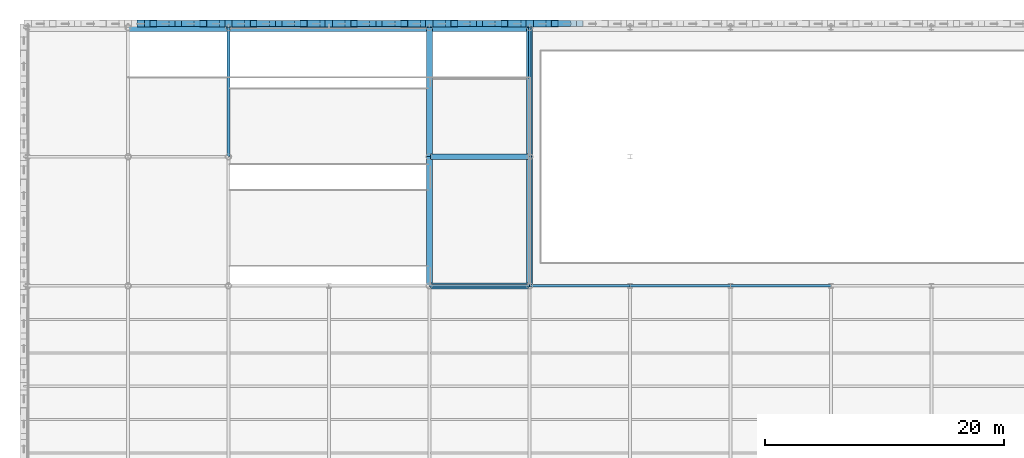
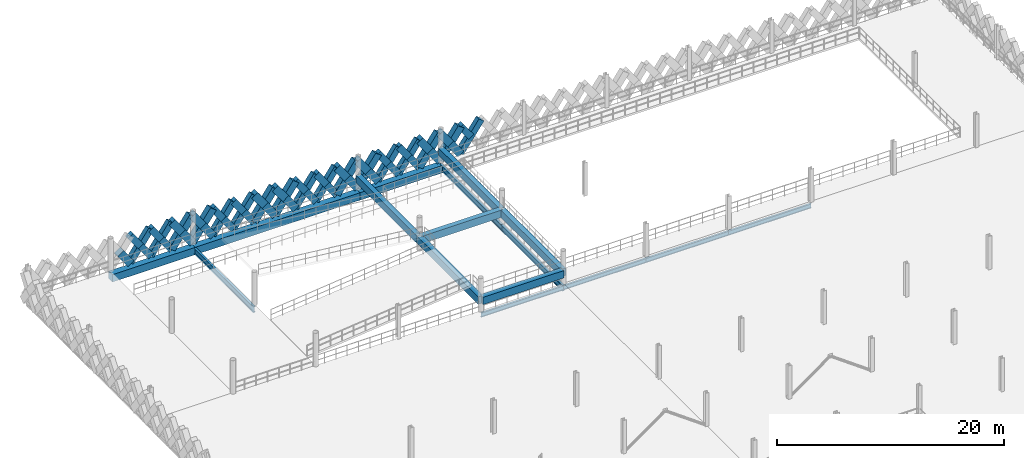
# One storey, part 25 of 62: 51 members, 16 beams.
"""IFC4 building model written with IfcOpenShell, lengths in metres."""

from ifc_helpers import new_model, si_unit, direction, frame, origin, origin_2d, place, context, subcontext, project, spatial, rectangle, i_section, extrude, material, material_profile, profile_set, type_object, element, save


model = new_model("IFC4")

# Units and contexts
model_context = context("Model", 3, precision=1e-05, world=origin(), true_north=direction((0.0, 1.0)))
body_context = subcontext(model_context, "Body", "Model", "MODEL_VIEW")
ifc_project = project(units=[si_unit("LENGTHUNIT", "METRE"), si_unit("AREAUNIT", "SQUARE_METRE"), si_unit("VOLUMEUNIT", "CUBIC_METRE"), si_unit("PLANEANGLEUNIT", "RADIAN"), si_unit("MASSUNIT", "GRAM", prefix="KILO"), si_unit("THERMODYNAMICTEMPERATUREUNIT", "KELVIN"), si_unit("POWERUNIT", "WATT")], contexts=[model_context])

# Site, building, storey
site_placement = place(None, origin())
site = spatial("IfcSite", under=ifc_project, at=site_placement, CompositionType="ELEMENT")
building_placement = place(site_placement, origin())
building = spatial("IfcBuilding", under=site, at=building_placement, Name="Tembeka Court Mobility Hub", CompositionType="ELEMENT")
storey_placement = place(building_placement, frame((0.0, 0.0, 16.199951171875)))
storey = spatial("IfcBuildingStorey", under=building, at=storey_placement, Name="L04", CompositionType="ELEMENT", Elevation=16.199951171875)

# Beams
ifc_material_1 = material(Name="Steel S355", Category="steel")
ifc_material_profile_1 = material_profile(ifc_material_1, i_section(OverallWidth=0.18994140625, OverallDepth=0.45703125, WebThickness=0.009033203125, FlangeThickness=0.014404296875, FilletRadius=0.01025390625, at=origin_2d()), Name="UKB 457x191x74")
ifc_profile_set_1 = profile_set([ifc_material_profile_1], Name="Steel S355")
beam_type_1 = type_object("IfcBeamType", Name="BM-B01", PredefinedType="BEAM", material=ifc_profile_set_1)
for number, where, z_axis, x_axis, name in (
    (1, (33.60009765625, 97.199951171875, -0.448486328125), (1.0, 0.0, 0.0), (0.0, 1.0, 0.0), "Beam B01 (BM-L04-X2293)"),
    (2, (42.0, 97.199951171875, -0.448486328125), (1.0, 0.0, 0.0), (0.0, 1.0, 0.0), "Beam B01 (BM-L04-X2294)"),
):
    element("IfcBeam", number, at=place(storey_placement, frame(where, z_axis=z_axis, x_axis=x_axis)), inside=storey, type_object=beam_type_1, Name=name, PredefinedType="BEAM", context=body_context, shape_type="SweptSolid", body=[
        extrude(i_section(OverallWidth=0.18994140625, OverallDepth=0.45703125, WebThickness=0.009033203125, FlangeThickness=0.014404296875, FilletRadius=0.01025390625, at=origin_2d()), origin(), (0.0, 0.0, 1.0), 8.39990234375),
    ])
beam_1_placement = place(storey_placement, frame((50.39990234375, 97.199951171875, -0.448486328125), z_axis=(1.0, 0.0, 0.0), x_axis=(0.0, 1.0, 0.0)))
element("IfcBeam", 3, at=beam_1_placement, inside=storey, type_object=beam_type_1, Name="Beam B01 (BM-L04-X2295)", PredefinedType="BEAM", context=body_context, shape_type="SweptSolid", body=[
    extrude(i_section(OverallWidth=0.18994140625, OverallDepth=0.45703125, WebThickness=0.009033203125, FlangeThickness=0.014404296875, FilletRadius=0.01025390625, at=origin_2d()), origin(), (0.0, 0.0, 1.0), 8.400146484375),
])
beam_2_placement = place(storey_placement, frame((58.800048828125, 97.199951171875, -0.448486328125), z_axis=(1.0, 0.0, 0.0), x_axis=(0.0, 1.0, 0.0)))
element("IfcBeam", 4, at=beam_2_placement, inside=storey, type_object=beam_type_1, Name="Beam B01 (BM-L04-X2296)", PredefinedType="BEAM", context=body_context, shape_type="SweptSolid", body=[
    extrude(i_section(OverallWidth=0.18994140625, OverallDepth=0.45703125, WebThickness=0.009033203125, FlangeThickness=0.014404296875, FilletRadius=0.01025390625, at=origin_2d()), origin(), (0.0, 0.0, 1.0), 8.39990234375),
])
ifc_material_2 = material(Name="Concrete C40/50", Category="concrete")
ifc_material_profile_2 = material_profile(ifc_material_2, rectangle(XDim=0.5, YDim=0.800048828125, at=origin_2d()), Name="RC-BM 500x800")
ifc_profile_set_2 = profile_set([ifc_material_profile_2], Name="Concrete C40/50")
beam_type_2 = type_object("IfcBeamType", Name="BM-B05", PredefinedType="BEAM", material=ifc_profile_set_2)
for number, where, z_axis, x_axis, name in (
    (5, (33.695068359375, 97.199951171875, 1.150146484375), (1.0, 0.0, 0.0), (0.0, 1.0, 0.0), "Car park vehicle ramp North R1 L04 half-landing tie beam EX1"),
    (6, (33.695068359375, 108.0, 1.150146484375), (1.0, 0.0, 0.0), (0.0, 1.0, 0.0), "Car park vehicle ramp North R1 L04 half-landing tie beam EX2"),
):
    element("IfcBeam", number, at=place(storey_placement, frame(where, z_axis=z_axis, x_axis=x_axis)), inside=storey, type_object=beam_type_2, Name=name, PredefinedType="BEAM", context=body_context, shape_type="SweptSolid", body=[
        extrude(rectangle(XDim=0.5, YDim=0.800048828125, at=origin_2d()), origin(), (0.0, 0.0, 1.0), 8.2099609375),
    ])
for number, where, z_axis, x_axis, name in (
    (7, (33.60009765625, 97.199951171875, 1.150146484375), (0.0, 1.0, 0.0), (-1.0, 0.0, 0.0), "Car park vehicle ramp North R1 L04 half-landing beam EM1"),
    (8, (33.60009765625, 108.0, 1.150146484375), (0.0, 1.0, 0.0), (-1.0, 0.0, 0.0), "Car park vehicle ramp North R1 L04 half-landing beam EM2"),
    (9, (42.0, 97.199951171875, 1.150146484375), (0.0, 1.0, 0.0), (-1.0, 0.0, 0.0), "Car park vehicle ramp North R1 L04 half-landing beam EE1"),
    (10, (42.0, 108.0, 1.150146484375), (0.0, 1.0, 0.0), (-1.0, 0.0, 0.0), "Car park vehicle ramp North R1 L04 half-landing beam EE2"),
):
    element("IfcBeam", number, at=place(storey_placement, frame(where, z_axis=z_axis, x_axis=x_axis)), inside=storey, type_object=beam_type_2, Name=name, PredefinedType="BEAM", context=body_context, shape_type="SweptSolid", body=[
        extrude(rectangle(XDim=0.5, YDim=0.800048828125, at=origin_2d()), origin(), (0.0, 0.0, 1.0), 10.800048828125),
    ])
ifc_material_profile_3 = material_profile(ifc_material_1, i_section(OverallWidth=0.22900390625, OverallDepth=0.612060546875, WebThickness=0.011962890625, FlangeThickness=0.01953125, FilletRadius=0.0126953125, at=origin_2d()), Name="UKB 610x229x125")
ifc_profile_set_3 = profile_set([ifc_material_profile_3], Name="Steel S355")
beam_type_3 = type_object("IfcBeamType", Name="BM-G02", PredefinedType="USERDEFINED", material=ifc_profile_set_3)
for number, where, z_axis, x_axis, name in (
    (11, (16.800048828125, 108.0, -0.555908203125), (0.0, 1.0, 0.0), (-1.0, 0.0, 0.0), "Beam G02 (BM-L04-Y2345)"),
    (12, (42.0, 97.199951171875, -0.52587890625), (0.0, 1.0, 0.0), (-1.0, 0.0, 0.0), "Beam G02 (BM-L04-Y2367)"),
    (13, (42.0, 108.0, -0.52587890625), (0.0, 1.0, 0.0), (-1.0, 0.0, 0.0), "Beam G02 (BM-L04-Y2368)"),
):
    element("IfcBeam", number, at=place(storey_placement, frame(where, z_axis=z_axis, x_axis=x_axis)), inside=storey, type_object=beam_type_3, Name=name, ObjectType="GIRDER", PredefinedType="USERDEFINED", context=body_context, shape_type="SweptSolid", body=[
        extrude(i_section(OverallWidth=0.22900390625, OverallDepth=0.612060546875, WebThickness=0.011962890625, FlangeThickness=0.01953125, FilletRadius=0.0126953125, at=origin_2d()), origin(), (0.0, 0.0, 1.0), 10.800048828125),
    ])
ifc_material_3 = material(Name="Precast concrete C45/55", Category="concrete")
ifc_material_profile_4 = material_profile(ifc_material_3, rectangle(XDim=0.64990234375, YDim=0.800048828125, at=origin_2d()), Name="PC-SP 650x800")
ifc_profile_set_4 = profile_set([ifc_material_profile_4], Name="Precast concrete C45/55")
beam_type_4 = type_object("IfcBeamType", Name="BM-SP01", PredefinedType="SPANDREL", material=ifc_profile_set_4)
beam_3_placement = place(storey_placement, frame((8.39990234375, 118.800048828125, -0.619873046875), z_axis=(1.0, 0.0, 0.0), x_axis=(0.0, 1.0, 0.0)))
element("IfcBeam", 14, at=beam_3_placement, inside=storey, type_object=beam_type_4, Name="Beam SP01 (BM-L04-X2304)", PredefinedType="SPANDREL", context=body_context, shape_type="SweptSolid", body=[
    extrude(rectangle(XDim=0.64990234375, YDim=0.800048828125, at=origin_2d()), origin(), (0.0, 0.0, 1.0), 8.400146484375),
])
beam_4_placement = place(storey_placement, frame((16.800048828125, 118.800048828125, -0.619873046875), z_axis=(1.0, 0.0, 0.0), x_axis=(0.0, 1.0, 0.0)))
element("IfcBeam", 15, at=beam_4_placement, inside=storey, type_object=beam_type_4, Name="Beam SP01 (BM-L04-X2305)", PredefinedType="SPANDREL", context=body_context, shape_type="SweptSolid", body=[
    extrude(rectangle(XDim=0.64990234375, YDim=0.800048828125, at=origin_2d()), origin(), (0.0, 0.0, 1.0), 16.800048828125),
])
beam_5_placement = place(storey_placement, frame((33.60009765625, 118.800048828125, -0.619873046875), z_axis=(1.0, 0.0, 0.0), x_axis=(0.0, 1.0, 0.0)))
element("IfcBeam", 16, at=beam_5_placement, inside=storey, type_object=beam_type_4, Name="Beam SP01 (BM-L04-X2306)", PredefinedType="SPANDREL", context=body_context, shape_type="SweptSolid", body=[
    extrude(rectangle(XDim=0.64990234375, YDim=0.800048828125, at=origin_2d()), origin(), (0.0, 0.0, 1.0), 8.39990234375),
])

# Members
ifc_material_profile_5 = material_profile(ifc_material_3, rectangle(XDim=0.5, YDim=0.64990234375, at=origin_2d()), Name="PC-DIAG 500x650")
ifc_profile_set_5 = profile_set([ifc_material_profile_5], Name="Precast concrete C45/55")
member_type_1 = type_object("IfcMemberType", Name="MEM-DL01", PredefinedType="BRACE", material=ifc_profile_set_5)
member_1_placement = place(storey_placement, frame((10.5, 119.139892578125, 0.02001953125), z_axis=(0.582576362011, 0.0, 0.812775973086), x_axis=(0.0, 1.0, 0.0)))
element("IfcMember", 17, at=member_1_placement, inside=storey, type_object=member_type_1, Name="Precast diamond lattice continuous strand DL01 (L04-638A)", PredefinedType="BRACE", context=body_context, shape_type="SweptSolid", body=[
    extrude(rectangle(XDim=0.5, YDim=0.64990234375, at=origin_2d()), origin(), (0.0, 0.0, 1.0), 3.604736328125),
])
member_2_placement = place(storey_placement, frame((12.60009765625, 119.139892578125, 0.02001953125), z_axis=(-0.582544294934, 0.0, 0.812798956963), x_axis=(0.0, -1.0, 0.0)))
element("IfcMember", 18, at=member_2_placement, inside=storey, type_object=member_type_1, Name="Precast diamond lattice split lower strand DL01 (L04-638B1)", PredefinedType="BRACE", context=body_context, shape_type="SweptSolid", body=[
    extrude(rectangle(XDim=0.5, YDim=0.64990234375, at=origin_2d()), origin(), (0.0, 0.0, 1.0), 1.802490234375),
])
member_3_placement = place(storey_placement, frame((11.550048828125, 119.139892578125, 1.485107421875), z_axis=(-0.582608431711, 0.0, 0.812752985414), x_axis=(0.0, -1.0, 0.0)))
element("IfcMember", 19, at=member_3_placement, inside=storey, type_object=member_type_1, Name="Precast diamond lattice split upper strand DL01 (L04-638B2)", PredefinedType="BRACE", context=body_context, shape_type="SweptSolid", body=[
    extrude(rectangle(XDim=0.5, YDim=0.64990234375, at=origin_2d()), origin(), (0.0, 0.0, 1.0), 1.80224609375),
])
member_4_placement = place(storey_placement, frame((12.60009765625, 119.139892578125, 0.02001953125), z_axis=(0.58253161945, 0.0, 0.812808041509), x_axis=(0.0, 1.0, 0.0)))
element("IfcMember", 20, at=member_4_placement, inside=storey, type_object=member_type_1, Name="Precast diamond lattice continuous strand DL01 (L04-639A)", PredefinedType="BRACE", context=body_context, shape_type="SweptSolid", body=[
    extrude(rectangle(XDim=0.5, YDim=0.64990234375, at=origin_2d()), origin(), (0.0, 0.0, 1.0), 3.604736328125),
])
member_5_placement = place(storey_placement, frame((14.699951171875, 119.139892578125, 0.02001953125), z_axis=(-0.582544294934, 0.0, 0.812798956963), x_axis=(0.0, -1.0, 0.0)))
element("IfcMember", 21, at=member_5_placement, inside=storey, type_object=member_type_1, Name="Precast diamond lattice split lower strand DL01 (L04-639B1)", PredefinedType="BRACE", context=body_context, shape_type="SweptSolid", body=[
    extrude(rectangle(XDim=0.5, YDim=0.64990234375, at=origin_2d()), origin(), (0.0, 0.0, 1.0), 1.802490234375),
])
member_6_placement = place(storey_placement, frame((13.64990234375, 119.139892578125, 1.485107421875), z_axis=(-0.582518941428, 0.0, 0.812817127574), x_axis=(0.0, -1.0, 0.0)))
element("IfcMember", 22, at=member_6_placement, inside=storey, type_object=member_type_1, Name="Precast diamond lattice split upper strand DL01 (L04-639B2)", PredefinedType="BRACE", context=body_context, shape_type="SweptSolid", body=[
    extrude(rectangle(XDim=0.5, YDim=0.64990234375, at=origin_2d()), origin(), (0.0, 0.0, 1.0), 1.80224609375),
])
member_7_placement = place(storey_placement, frame((18.89990234375, 119.139892578125, 0.02001953125), z_axis=(0.582576362011, 0.0, 0.812775973086), x_axis=(0.0, 1.0, 0.0)))
element("IfcMember", 23, at=member_7_placement, inside=storey, type_object=member_type_1, Name="Precast diamond lattice continuous strand DL01 (L04-642A)", PredefinedType="BRACE", context=body_context, shape_type="SweptSolid", body=[
    extrude(rectangle(XDim=0.5, YDim=0.64990234375, at=origin_2d()), origin(), (0.0, 0.0, 1.0), 3.604736328125),
])
member_8_placement = place(storey_placement, frame((21.0, 119.139892578125, 0.02001953125), z_axis=(-0.582544294934, 0.0, 0.812798956963), x_axis=(0.0, -1.0, 0.0)))
element("IfcMember", 24, at=member_8_placement, inside=storey, type_object=member_type_1, Name="Precast diamond lattice split lower strand DL01 (L04-642B1)", PredefinedType="BRACE", context=body_context, shape_type="SweptSolid", body=[
    extrude(rectangle(XDim=0.5, YDim=0.64990234375, at=origin_2d()), origin(), (0.0, 0.0, 1.0), 1.802490234375),
])
member_9_placement = place(storey_placement, frame((19.949951171875, 119.139892578125, 1.485107421875), z_axis=(-0.582608431711, 0.0, 0.812752985414), x_axis=(0.0, -1.0, 0.0)))
element("IfcMember", 25, at=member_9_placement, inside=storey, type_object=member_type_1, Name="Precast diamond lattice split upper strand DL01 (L04-642B2)", PredefinedType="BRACE", context=body_context, shape_type="SweptSolid", body=[
    extrude(rectangle(XDim=0.5, YDim=0.64990234375, at=origin_2d()), origin(), (0.0, 0.0, 1.0), 1.80224609375),
])
member_10_placement = place(storey_placement, frame((21.0, 119.139892578125, 0.02001953125), z_axis=(0.582576362011, 0.0, 0.812775973086), x_axis=(0.0, 1.0, 0.0)))
element("IfcMember", 26, at=member_10_placement, inside=storey, type_object=member_type_1, Name="Precast diamond lattice continuous strand DL01 (L04-643A)", PredefinedType="BRACE", context=body_context, shape_type="SweptSolid", body=[
    extrude(rectangle(XDim=0.5, YDim=0.64990234375, at=origin_2d()), origin(), (0.0, 0.0, 1.0), 3.604736328125),
])
member_11_placement = place(storey_placement, frame((23.10009765625, 119.139892578125, 0.02001953125), z_axis=(-0.582544294934, 0.0, 0.812798956963), x_axis=(0.0, -1.0, 0.0)))
element("IfcMember", 27, at=member_11_placement, inside=storey, type_object=member_type_1, Name="Precast diamond lattice split lower strand DL01 (L04-643B1)", PredefinedType="BRACE", context=body_context, shape_type="SweptSolid", body=[
    extrude(rectangle(XDim=0.5, YDim=0.64990234375, at=origin_2d()), origin(), (0.0, 0.0, 1.0), 1.802490234375),
])
member_12_placement = place(storey_placement, frame((22.050048828125, 119.139892578125, 1.485107421875), z_axis=(-0.582608431711, 0.0, 0.812752985414), x_axis=(0.0, -1.0, 0.0)))
element("IfcMember", 28, at=member_12_placement, inside=storey, type_object=member_type_1, Name="Precast diamond lattice split upper strand DL01 (L04-643B2)", PredefinedType="BRACE", context=body_context, shape_type="SweptSolid", body=[
    extrude(rectangle(XDim=0.5, YDim=0.64990234375, at=origin_2d()), origin(), (0.0, 0.0, 1.0), 1.80224609375),
])
member_13_placement = place(storey_placement, frame((27.300048828125, 119.139892578125, 0.02001953125), z_axis=(0.58253161945, 0.0, 0.812808041509), x_axis=(0.0, 1.0, 0.0)))
element("IfcMember", 29, at=member_13_placement, inside=storey, type_object=member_type_1, Name="Precast diamond lattice continuous strand DL01 (L04-646A)", PredefinedType="BRACE", context=body_context, shape_type="SweptSolid", body=[
    extrude(rectangle(XDim=0.5, YDim=0.64990234375, at=origin_2d()), origin(), (0.0, 0.0, 1.0), 3.604736328125),
])
member_14_placement = place(storey_placement, frame((29.39990234375, 119.139892578125, 0.02001953125), z_axis=(-0.582454804382, 0.0, 0.812863088627), x_axis=(0.0, -1.0, 0.0)))
element("IfcMember", 30, at=member_14_placement, inside=storey, type_object=member_type_1, Name="Precast diamond lattice split lower strand DL01 (L04-646B1)", PredefinedType="BRACE", context=body_context, shape_type="SweptSolid", body=[
    extrude(rectangle(XDim=0.5, YDim=0.64990234375, at=origin_2d()), origin(), (0.0, 0.0, 1.0), 1.802490234375),
])
member_15_placement = place(storey_placement, frame((28.35009765625, 119.139892578125, 1.485107421875), z_axis=(-0.582608431711, 0.0, 0.812752985414), x_axis=(0.0, -1.0, 0.0)))
element("IfcMember", 31, at=member_15_placement, inside=storey, type_object=member_type_1, Name="Precast diamond lattice split upper strand DL01 (L04-646B2)", PredefinedType="BRACE", context=body_context, shape_type="SweptSolid", body=[
    extrude(rectangle(XDim=0.5, YDim=0.64990234375, at=origin_2d()), origin(), (0.0, 0.0, 1.0), 1.80224609375),
])
member_16_placement = place(storey_placement, frame((29.39990234375, 119.139892578125, 0.02001953125), z_axis=(0.582576362011, 0.0, 0.812775973086), x_axis=(0.0, 1.0, 0.0)))
element("IfcMember", 32, at=member_16_placement, inside=storey, type_object=member_type_1, Name="Precast diamond lattice continuous strand DL01 (L04-647A)", PredefinedType="BRACE", context=body_context, shape_type="SweptSolid", body=[
    extrude(rectangle(XDim=0.5, YDim=0.64990234375, at=origin_2d()), origin(), (0.0, 0.0, 1.0), 3.604736328125),
])
member_17_placement = place(storey_placement, frame((31.5, 119.139892578125, 0.02001953125), z_axis=(-0.582544294934, 0.0, 0.812798956963), x_axis=(0.0, -1.0, 0.0)))
element("IfcMember", 33, at=member_17_placement, inside=storey, type_object=member_type_1, Name="Precast diamond lattice split lower strand DL01 (L04-647B1)", PredefinedType="BRACE", context=body_context, shape_type="SweptSolid", body=[
    extrude(rectangle(XDim=0.5, YDim=0.64990234375, at=origin_2d()), origin(), (0.0, 0.0, 1.0), 1.802490234375),
])
member_18_placement = place(storey_placement, frame((30.449951171875, 119.139892578125, 1.485107421875), z_axis=(-0.582608431711, 0.0, 0.812752985414), x_axis=(0.0, -1.0, 0.0)))
element("IfcMember", 34, at=member_18_placement, inside=storey, type_object=member_type_1, Name="Precast diamond lattice split upper strand DL01 (L04-647B2)", PredefinedType="BRACE", context=body_context, shape_type="SweptSolid", body=[
    extrude(rectangle(XDim=0.5, YDim=0.64990234375, at=origin_2d()), origin(), (0.0, 0.0, 1.0), 1.80224609375),
])
member_19_placement = place(storey_placement, frame((35.699951171875, 119.139892578125, 0.02001953125), z_axis=(0.582576362011, 0.0, 0.812775973086), x_axis=(0.0, 1.0, 0.0)))
element("IfcMember", 35, at=member_19_placement, inside=storey, type_object=member_type_1, Name="Precast diamond lattice continuous strand DL01 (L04-650A)", PredefinedType="BRACE", context=body_context, shape_type="SweptSolid", body=[
    extrude(rectangle(XDim=0.5, YDim=0.64990234375, at=origin_2d()), origin(), (0.0, 0.0, 1.0), 3.604736328125),
])
member_20_placement = place(storey_placement, frame((37.800048828125, 119.139892578125, 0.02001953125), z_axis=(-0.582544294934, 0.0, 0.812798956963), x_axis=(0.0, -1.0, 0.0)))
element("IfcMember", 36, at=member_20_placement, inside=storey, type_object=member_type_1, Name="Precast diamond lattice split lower strand DL01 (L04-650B1)", PredefinedType="BRACE", context=body_context, shape_type="SweptSolid", body=[
    extrude(rectangle(XDim=0.5, YDim=0.64990234375, at=origin_2d()), origin(), (0.0, 0.0, 1.0), 1.802490234375),
])
member_21_placement = place(storey_placement, frame((36.75, 119.139892578125, 1.485107421875), z_axis=(-0.582608431711, 0.0, 0.812752985414), x_axis=(0.0, -1.0, 0.0)))
element("IfcMember", 37, at=member_21_placement, inside=storey, type_object=member_type_1, Name="Precast diamond lattice split upper strand DL01 (L04-650B2)", PredefinedType="BRACE", context=body_context, shape_type="SweptSolid", body=[
    extrude(rectangle(XDim=0.5, YDim=0.64990234375, at=origin_2d()), origin(), (0.0, 0.0, 1.0), 1.80224609375),
])
member_22_placement = place(storey_placement, frame((37.800048828125, 119.139892578125, 0.02001953125), z_axis=(0.58253161945, 0.0, 0.812808041509), x_axis=(0.0, 1.0, 0.0)))
element("IfcMember", 38, at=member_22_placement, inside=storey, type_object=member_type_1, Name="Precast diamond lattice continuous strand DL01 (L04-651A)", PredefinedType="BRACE", context=body_context, shape_type="SweptSolid", body=[
    extrude(rectangle(XDim=0.5, YDim=0.64990234375, at=origin_2d()), origin(), (0.0, 0.0, 1.0), 3.604736328125),
])
member_23_placement = place(storey_placement, frame((39.89990234375, 119.139892578125, 0.02001953125), z_axis=(-0.582454804382, 0.0, 0.812863088627), x_axis=(0.0, -1.0, 0.0)))
element("IfcMember", 39, at=member_23_placement, inside=storey, type_object=member_type_1, Name="Precast diamond lattice split lower strand DL01 (L04-651B1)", PredefinedType="BRACE", context=body_context, shape_type="SweptSolid", body=[
    extrude(rectangle(XDim=0.5, YDim=0.64990234375, at=origin_2d()), origin(), (0.0, 0.0, 1.0), 1.802490234375),
])
member_24_placement = place(storey_placement, frame((38.85009765625, 119.139892578125, 1.485107421875), z_axis=(-0.582608431711, 0.0, 0.812752985414), x_axis=(0.0, -1.0, 0.0)))
element("IfcMember", 40, at=member_24_placement, inside=storey, type_object=member_type_1, Name="Precast diamond lattice split upper strand DL01 (L04-651B2)", PredefinedType="BRACE", context=body_context, shape_type="SweptSolid", body=[
    extrude(rectangle(XDim=0.5, YDim=0.64990234375, at=origin_2d()), origin(), (0.0, 0.0, 1.0), 1.80224609375),
])
member_25_placement = place(storey_placement, frame((44.10009765625, 119.139892578125, 0.02001953125), z_axis=(0.58253161945, 0.0, 0.812808041509), x_axis=(0.0, 1.0, 0.0)))
element("IfcMember", 41, at=member_25_placement, inside=storey, type_object=member_type_1, Name="Precast diamond lattice continuous strand DL01 (L04-654A)", PredefinedType="BRACE", context=body_context, shape_type="SweptSolid", body=[
    extrude(rectangle(XDim=0.5, YDim=0.64990234375, at=origin_2d()), origin(), (0.0, 0.0, 1.0), 3.604736328125),
])
member_26_placement = place(storey_placement, frame((45.14990234375, 119.139892578125, 1.485107421875), z_axis=(-0.582518941428, 0.0, 0.812817127574), x_axis=(0.0, -1.0, 0.0)))
element("IfcMember", 42, at=member_26_placement, inside=storey, type_object=member_type_1, Name="Precast diamond lattice split upper strand DL01 (L04-654B2)", PredefinedType="BRACE", context=body_context, shape_type="SweptSolid", body=[
    extrude(rectangle(XDim=0.5, YDim=0.64990234375, at=origin_2d()), origin(), (0.0, 0.0, 1.0), 1.80224609375),
])
ifc_material_profile_6 = material_profile(ifc_material_3, rectangle(XDim=0.60009765625, YDim=0.75, at=origin_2d()), Name="PC-DIAG 600x750")
ifc_profile_set_6 = profile_set([ifc_material_profile_6], Name="Precast concrete C45/55")
member_type_2 = type_object("IfcMemberType", Name="MEM-DL02", PredefinedType="BRACE", material=ifc_profile_set_6)
member_27_placement = place(storey_placement, frame((10.5, 119.139892578125, 0.02001953125), z_axis=(-0.582544294934, 0.0, 0.812798956963), x_axis=(0.0, -1.0, 0.0)))
element("IfcMember", 43, at=member_27_placement, inside=storey, type_object=member_type_2, Name="Precast diamond lattice split lower strand DL02 (L04-637B1)", PredefinedType="BRACE", context=body_context, shape_type="SweptSolid", body=[
    extrude(rectangle(XDim=0.60009765625, YDim=0.75, at=origin_2d()), origin(), (0.0, 0.0, 1.0), 1.802490234375),
])
member_28_placement = place(storey_placement, frame((14.699951171875, 119.139892578125, 0.02001953125), z_axis=(0.582576362011, 0.0, 0.812775973086), x_axis=(0.0, 1.0, 0.0)))
element("IfcMember", 44, at=member_28_placement, inside=storey, type_object=member_type_2, Name="Precast diamond lattice continuous strand DL02 (L04-640A)", PredefinedType="BRACE", context=body_context, shape_type="SweptSolid", body=[
    extrude(rectangle(XDim=0.60009765625, YDim=0.75, at=origin_2d()), origin(), (0.0, 0.0, 1.0), 3.604736328125),
])
member_29_placement = place(storey_placement, frame((16.800048828125, 119.139892578125, 0.02001953125), z_axis=(-0.582544294934, 0.0, 0.812798956963), x_axis=(0.0, -1.0, 0.0)))
element("IfcMember", 45, at=member_29_placement, inside=storey, type_object=member_type_2, Name="Precast diamond lattice split lower strand DL02 (L04-640B1)", PredefinedType="BRACE", context=body_context, shape_type="SweptSolid", body=[
    extrude(rectangle(XDim=0.60009765625, YDim=0.75, at=origin_2d()), origin(), (0.0, 0.0, 1.0), 1.802490234375),
])
member_30_placement = place(storey_placement, frame((15.75, 119.139892578125, 1.485107421875), z_axis=(-0.582608431711, 0.0, 0.812752985414), x_axis=(0.0, -1.0, 0.0)))
element("IfcMember", 46, at=member_30_placement, inside=storey, type_object=member_type_2, Name="Precast diamond lattice split upper strand DL02 (L04-640B2)", PredefinedType="BRACE", context=body_context, shape_type="SweptSolid", body=[
    extrude(rectangle(XDim=0.60009765625, YDim=0.75, at=origin_2d()), origin(), (0.0, 0.0, 1.0), 1.80224609375),
])
member_31_placement = place(storey_placement, frame((16.800048828125, 119.139892578125, 0.02001953125), z_axis=(0.58253161945, 0.0, 0.812808041509), x_axis=(0.0, 1.0, 0.0)))
element("IfcMember", 47, at=member_31_placement, inside=storey, type_object=member_type_2, Name="Precast diamond lattice continuous strand DL02 (L04-641A)", PredefinedType="BRACE", context=body_context, shape_type="SweptSolid", body=[
    extrude(rectangle(XDim=0.60009765625, YDim=0.75, at=origin_2d()), origin(), (0.0, 0.0, 1.0), 3.604736328125),
])
member_32_placement = place(storey_placement, frame((18.89990234375, 119.139892578125, 0.02001953125), z_axis=(-0.582454804382, 0.0, 0.812863088627), x_axis=(0.0, -1.0, 0.0)))
element("IfcMember", 48, at=member_32_placement, inside=storey, type_object=member_type_2, Name="Precast diamond lattice split lower strand DL02 (L04-641B1)", PredefinedType="BRACE", context=body_context, shape_type="SweptSolid", body=[
    extrude(rectangle(XDim=0.60009765625, YDim=0.75, at=origin_2d()), origin(), (0.0, 0.0, 1.0), 1.802490234375),
])
member_33_placement = place(storey_placement, frame((17.85009765625, 119.139892578125, 1.485107421875), z_axis=(-0.582608431711, 0.0, 0.812752985414), x_axis=(0.0, -1.0, 0.0)))
element("IfcMember", 49, at=member_33_placement, inside=storey, type_object=member_type_2, Name="Precast diamond lattice split upper strand DL02 (L04-641B2)", PredefinedType="BRACE", context=body_context, shape_type="SweptSolid", body=[
    extrude(rectangle(XDim=0.60009765625, YDim=0.75, at=origin_2d()), origin(), (0.0, 0.0, 1.0), 1.80224609375),
])
member_34_placement = place(storey_placement, frame((23.10009765625, 119.139892578125, 0.02001953125), z_axis=(0.58253161945, 0.0, 0.812808041509), x_axis=(0.0, 1.0, 0.0)))
element("IfcMember", 50, at=member_34_placement, inside=storey, type_object=member_type_2, Name="Precast diamond lattice continuous strand DL02 (L04-644A)", PredefinedType="BRACE", context=body_context, shape_type="SweptSolid", body=[
    extrude(rectangle(XDim=0.60009765625, YDim=0.75, at=origin_2d()), origin(), (0.0, 0.0, 1.0), 3.604736328125),
])
member_35_placement = place(storey_placement, frame((25.199951171875, 119.139892578125, 0.02001953125), z_axis=(-0.582544294934, 0.0, 0.812798956963), x_axis=(0.0, -1.0, 0.0)))
element("IfcMember", 51, at=member_35_placement, inside=storey, type_object=member_type_2, Name="Precast diamond lattice split lower strand DL02 (L04-644B1)", PredefinedType="BRACE", context=body_context, shape_type="SweptSolid", body=[
    extrude(rectangle(XDim=0.60009765625, YDim=0.75, at=origin_2d()), origin(), (0.0, 0.0, 1.0), 1.802490234375),
])
member_36_placement = place(storey_placement, frame((24.14990234375, 119.139892578125, 1.485107421875), z_axis=(-0.582518941428, 0.0, 0.812817127574), x_axis=(0.0, -1.0, 0.0)))
element("IfcMember", 52, at=member_36_placement, inside=storey, type_object=member_type_2, Name="Precast diamond lattice split upper strand DL02 (L04-644B2)", PredefinedType="BRACE", context=body_context, shape_type="SweptSolid", body=[
    extrude(rectangle(XDim=0.60009765625, YDim=0.75, at=origin_2d()), origin(), (0.0, 0.0, 1.0), 1.80224609375),
])
member_37_placement = place(storey_placement, frame((25.199951171875, 119.139892578125, 0.02001953125), z_axis=(0.582576362011, 0.0, 0.812775973086), x_axis=(0.0, 1.0, 0.0)))
element("IfcMember", 53, at=member_37_placement, inside=storey, type_object=member_type_2, Name="Precast diamond lattice continuous strand DL02 (L04-645A)", PredefinedType="BRACE", context=body_context, shape_type="SweptSolid", body=[
    extrude(rectangle(XDim=0.60009765625, YDim=0.75, at=origin_2d()), origin(), (0.0, 0.0, 1.0), 3.604736328125),
])
member_38_placement = place(storey_placement, frame((27.300048828125, 119.139892578125, 0.02001953125), z_axis=(-0.582544294934, 0.0, 0.812798956963), x_axis=(0.0, -1.0, 0.0)))
element("IfcMember", 54, at=member_38_placement, inside=storey, type_object=member_type_2, Name="Precast diamond lattice split lower strand DL02 (L04-645B1)", PredefinedType="BRACE", context=body_context, shape_type="SweptSolid", body=[
    extrude(rectangle(XDim=0.60009765625, YDim=0.75, at=origin_2d()), origin(), (0.0, 0.0, 1.0), 1.802490234375),
])
member_39_placement = place(storey_placement, frame((26.25, 119.139892578125, 1.485107421875), z_axis=(-0.582608431711, 0.0, 0.812752985414), x_axis=(0.0, -1.0, 0.0)))
element("IfcMember", 55, at=member_39_placement, inside=storey, type_object=member_type_2, Name="Precast diamond lattice split upper strand DL02 (L04-645B2)", PredefinedType="BRACE", context=body_context, shape_type="SweptSolid", body=[
    extrude(rectangle(XDim=0.60009765625, YDim=0.75, at=origin_2d()), origin(), (0.0, 0.0, 1.0), 1.80224609375),
])
member_40_placement = place(storey_placement, frame((31.5, 119.139892578125, 0.02001953125), z_axis=(0.582576362011, 0.0, 0.812775973086), x_axis=(0.0, 1.0, 0.0)))
element("IfcMember", 56, at=member_40_placement, inside=storey, type_object=member_type_2, Name="Precast diamond lattice continuous strand DL02 (L04-648A)", PredefinedType="BRACE", context=body_context, shape_type="SweptSolid", body=[
    extrude(rectangle(XDim=0.60009765625, YDim=0.75, at=origin_2d()), origin(), (0.0, 0.0, 1.0), 3.604736328125),
])
member_41_placement = place(storey_placement, frame((33.60009765625, 119.139892578125, 0.02001953125), z_axis=(-0.582544294934, 0.0, 0.812798956963), x_axis=(0.0, -1.0, 0.0)))
element("IfcMember", 57, at=member_41_placement, inside=storey, type_object=member_type_2, Name="Precast diamond lattice split lower strand DL02 (L04-648B1)", PredefinedType="BRACE", context=body_context, shape_type="SweptSolid", body=[
    extrude(rectangle(XDim=0.60009765625, YDim=0.75, at=origin_2d()), origin(), (0.0, 0.0, 1.0), 1.802490234375),
])
member_42_placement = place(storey_placement, frame((32.550048828125, 119.139892578125, 1.485107421875), z_axis=(-0.582608431711, 0.0, 0.812752985414), x_axis=(0.0, -1.0, 0.0)))
element("IfcMember", 58, at=member_42_placement, inside=storey, type_object=member_type_2, Name="Precast diamond lattice split upper strand DL02 (L04-648B2)", PredefinedType="BRACE", context=body_context, shape_type="SweptSolid", body=[
    extrude(rectangle(XDim=0.60009765625, YDim=0.75, at=origin_2d()), origin(), (0.0, 0.0, 1.0), 1.80224609375),
])
member_43_placement = place(storey_placement, frame((33.60009765625, 119.139892578125, 0.02001953125), z_axis=(0.58253161945, 0.0, 0.812808041509), x_axis=(0.0, 1.0, 0.0)))
element("IfcMember", 59, at=member_43_placement, inside=storey, type_object=member_type_2, Name="Precast diamond lattice continuous strand DL02 (L04-649A)", PredefinedType="BRACE", context=body_context, shape_type="SweptSolid", body=[
    extrude(rectangle(XDim=0.60009765625, YDim=0.75, at=origin_2d()), origin(), (0.0, 0.0, 1.0), 3.604736328125),
])
member_44_placement = place(storey_placement, frame((35.699951171875, 119.139892578125, 0.02001953125), z_axis=(-0.582544294934, 0.0, 0.812798956963), x_axis=(0.0, -1.0, 0.0)))
element("IfcMember", 60, at=member_44_placement, inside=storey, type_object=member_type_2, Name="Precast diamond lattice split lower strand DL02 (L04-649B1)", PredefinedType="BRACE", context=body_context, shape_type="SweptSolid", body=[
    extrude(rectangle(XDim=0.60009765625, YDim=0.75, at=origin_2d()), origin(), (0.0, 0.0, 1.0), 1.802490234375),
])
member_45_placement = place(storey_placement, frame((34.64990234375, 119.139892578125, 1.485107421875), z_axis=(-0.582518941428, 0.0, 0.812817127574), x_axis=(0.0, -1.0, 0.0)))
element("IfcMember", 61, at=member_45_placement, inside=storey, type_object=member_type_2, Name="Precast diamond lattice split upper strand DL02 (L04-649B2)", PredefinedType="BRACE", context=body_context, shape_type="SweptSolid", body=[
    extrude(rectangle(XDim=0.60009765625, YDim=0.75, at=origin_2d()), origin(), (0.0, 0.0, 1.0), 1.80224609375),
])
member_46_placement = place(storey_placement, frame((39.89990234375, 119.139892578125, 0.02001953125), z_axis=(0.582576362011, 0.0, 0.812775973086), x_axis=(0.0, 1.0, 0.0)))
element("IfcMember", 62, at=member_46_placement, inside=storey, type_object=member_type_2, Name="Precast diamond lattice continuous strand DL02 (L04-652A)", PredefinedType="BRACE", context=body_context, shape_type="SweptSolid", body=[
    extrude(rectangle(XDim=0.60009765625, YDim=0.75, at=origin_2d()), origin(), (0.0, 0.0, 1.0), 3.604736328125),
])
member_47_placement = place(storey_placement, frame((42.0, 119.139892578125, 0.02001953125), z_axis=(-0.582544294934, 0.0, 0.812798956963), x_axis=(0.0, -1.0, 0.0)))
element("IfcMember", 63, at=member_47_placement, inside=storey, type_object=member_type_2, Name="Precast diamond lattice split lower strand DL02 (L04-652B1)", PredefinedType="BRACE", context=body_context, shape_type="SweptSolid", body=[
    extrude(rectangle(XDim=0.60009765625, YDim=0.75, at=origin_2d()), origin(), (0.0, 0.0, 1.0), 1.802490234375),
])
member_48_placement = place(storey_placement, frame((40.949951171875, 119.139892578125, 1.485107421875), z_axis=(-0.582608431711, 0.0, 0.812752985414), x_axis=(0.0, -1.0, 0.0)))
element("IfcMember", 64, at=member_48_placement, inside=storey, type_object=member_type_2, Name="Precast diamond lattice split upper strand DL02 (L04-652B2)", PredefinedType="BRACE", context=body_context, shape_type="SweptSolid", body=[
    extrude(rectangle(XDim=0.60009765625, YDim=0.75, at=origin_2d()), origin(), (0.0, 0.0, 1.0), 1.80224609375),
])
member_49_placement = place(storey_placement, frame((42.0, 119.139892578125, 0.02001953125), z_axis=(0.582576362011, 0.0, 0.812775973086), x_axis=(0.0, 1.0, 0.0)))
element("IfcMember", 65, at=member_49_placement, inside=storey, type_object=member_type_2, Name="Precast diamond lattice continuous strand DL02 (L04-653A)", PredefinedType="BRACE", context=body_context, shape_type="SweptSolid", body=[
    extrude(rectangle(XDim=0.60009765625, YDim=0.75, at=origin_2d()), origin(), (0.0, 0.0, 1.0), 3.604736328125),
])
member_50_placement = place(storey_placement, frame((44.10009765625, 119.139892578125, 0.02001953125), z_axis=(-0.582544294934, 0.0, 0.812798956963), x_axis=(0.0, -1.0, 0.0)))
element("IfcMember", 66, at=member_50_placement, inside=storey, type_object=member_type_2, Name="Precast diamond lattice split lower strand DL02 (L04-653B1)", PredefinedType="BRACE", context=body_context, shape_type="SweptSolid", body=[
    extrude(rectangle(XDim=0.60009765625, YDim=0.75, at=origin_2d()), origin(), (0.0, 0.0, 1.0), 1.802490234375),
])
member_51_placement = place(storey_placement, frame((43.050048828125, 119.139892578125, 1.485107421875), z_axis=(-0.582608431711, 0.0, 0.812752985414), x_axis=(0.0, -1.0, 0.0)))
element("IfcMember", 67, at=member_51_placement, inside=storey, type_object=member_type_2, Name="Precast diamond lattice split upper strand DL02 (L04-653B2)", PredefinedType="BRACE", context=body_context, shape_type="SweptSolid", body=[
    extrude(rectangle(XDim=0.60009765625, YDim=0.75, at=origin_2d()), origin(), (0.0, 0.0, 1.0), 1.80224609375),
])

save(model, "model.ifc")
